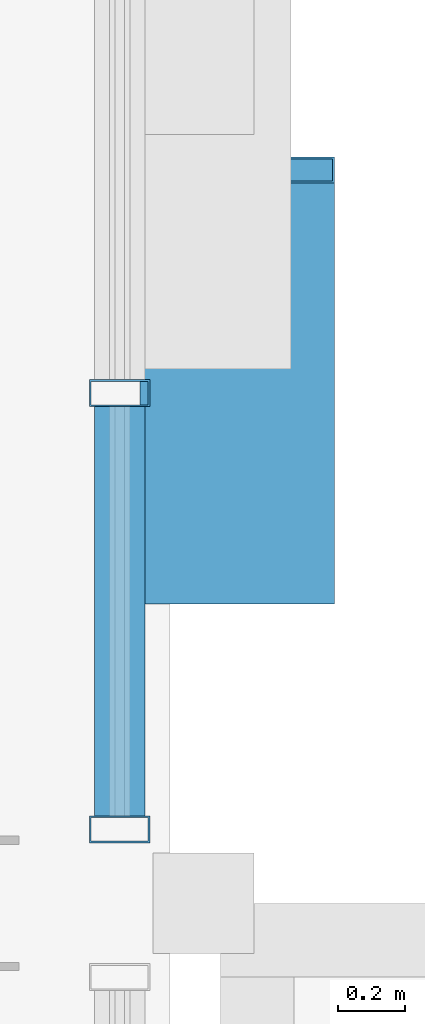
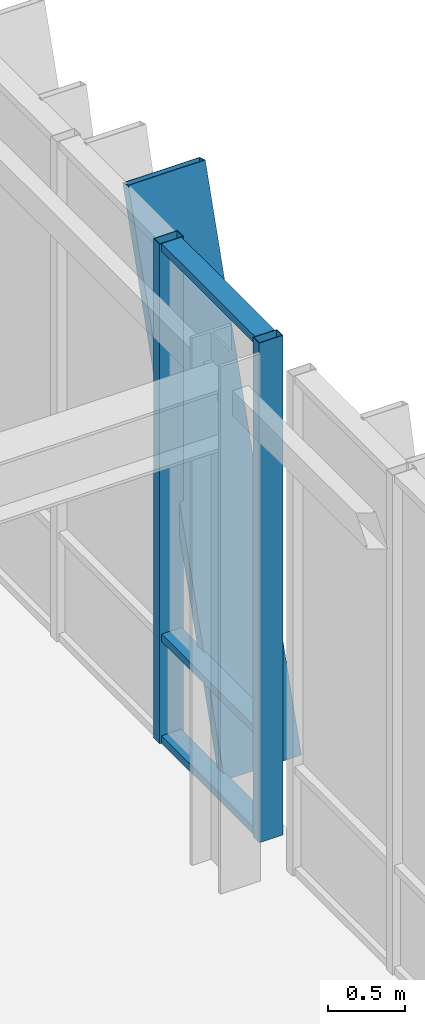
# One storey, part 53 of 123: 6 members, 1 element without a shape of its own.
"""IFC4 building model written with IfcOpenShell, lengths in metres."""

from ifc_helpers import new_model, si_unit, direction, frame, origin, origin_2d, place, context, subcontext, project, spatial, hollow_rectangle, extrude, material, layer, layer_set, material_profile, profile_set, type_object, element, aggregate, save


model = new_model("IFC4")

# Units and contexts
model_context = context("Model", 3, precision=1e-05, world=origin(), true_north=direction((0.0, 1.0)))
body_context = subcontext(model_context, "Body", "Model", "MODEL_VIEW")
ifc_project = project(units=[si_unit("LENGTHUNIT", "METRE"), si_unit("AREAUNIT", "SQUARE_METRE"), si_unit("VOLUMEUNIT", "CUBIC_METRE"), si_unit("PLANEANGLEUNIT", "RADIAN"), si_unit("MASSUNIT", "GRAM", prefix="KILO")], contexts=[model_context])

# Site, building, storey
site_placement = place(None, origin())
site = spatial("IfcSite", under=ifc_project, at=site_placement, CompositionType="ELEMENT")
building_placement = place(site_placement, origin())
building = spatial("IfcBuilding", under=site, at=building_placement, Name="Zayran Congress Hotel", CompositionType="ELEMENT")
storey_placement = place(building_placement, frame((0.0, 0.0, 15.0)))
storey = spatial("IfcBuildingStorey", under=building, at=storey_placement, Name="L03", CompositionType="ELEMENT", Elevation=15.0)

# Curtain wall, members
ifc_material_1 = material(Name="Anodised aluminium and low-E insulated glass", Category="aluminium")
ifc_layer = layer(ifc_material_1, 0.179931640625)
ifc_layer_set = layer_set([ifc_layer], Name="Anodised aluminium and low-E insulated glass")
curtain_wall_type = type_object("IfcCurtainWallType", Name="CW-V1E-L03-CW-41-8040-3980", PredefinedType="USERDEFINED", material=ifc_layer_set)
curtain_wall_placement = place(storey_placement, origin())
curtain_wall = element("IfcCurtainWall", 1, at=curtain_wall_placement, inside=storey, type_object=curtain_wall_type, Name="CW-V1E-L03-2", ObjectType="CURTAIN WALL", PredefinedType="USERDEFINED")
ifc_material_2 = material(Name="Anodised aluminium framing", Category="aluminium")
ifc_material_profile_1 = material_profile(ifc_material_2, hollow_rectangle(XDim=0.080078125, YDim=0.179931640625, WallThickness=0.0048828125, at=origin_2d()), Name="RHS 180x80x5")
ifc_profile_set_1 = profile_set([ifc_material_profile_1], Name="Anodised aluminium framing")
member_type_1 = type_object("IfcMemberType", Name="TP-CWM-01", PredefinedType="MULLION", material=ifc_profile_set_1)
member_1_placement = place(storey_placement, frame((92.25, 84.6201171875, 0.0), z_axis=(0.0, 0.0, 1.0), x_axis=(0.0, 1.0, 0.0)))
member_1 = element("IfcMember", 2, at=member_1_placement, type_object=member_type_1, Name="CW-V1E-L03-2-M00", PredefinedType="MULLION", context=body_context, shape_type="SweptSolid", body=[
    extrude(hollow_rectangle(XDim=0.080078125, YDim=0.179931640625, WallThickness=0.0048828125, at=origin_2d()), origin(), (0.0, 0.0, 1.0), 3.97998046875),
])
member_2_placement = place(storey_placement, frame((92.25, 85.919921875, 0.0), z_axis=(0.0, 0.0, 1.0), x_axis=(0.0, 1.0, 0.0)))
member_2 = element("IfcMember", 3, at=member_2_placement, type_object=member_type_1, Name="CW-V1E-L03-2-M01", PredefinedType="MULLION", context=body_context, shape_type="SweptSolid", body=[
    extrude(hollow_rectangle(XDim=0.080078125, YDim=0.179931640625, WallThickness=0.0048828125, at=origin_2d()), origin(), (0.0, 0.0, 1.0), 3.97998046875),
])
ifc_material_profile_2 = material_profile(ifc_material_2, hollow_rectangle(XDim=0.06005859375, YDim=0.14990234375, WallThickness=0.00390625, at=origin_2d()), Name="RHS 150x60x4")
ifc_profile_set_2 = profile_set([ifc_material_profile_2], Name="Anodised aluminium framing")
member_type_2 = type_object("IfcMemberType", Name="TP-CWT-01", PredefinedType="USERDEFINED", material=ifc_profile_set_2)
member_3_placement = place(storey_placement, frame((92.25, 84.659912109375, 0.030029296875), z_axis=(0.0, 1.0, 0.0), x_axis=(0.0, 0.0, 1.0)))
member_3 = element("IfcMember", 4, at=member_3_placement, type_object=member_type_2, Name="CW-V1E-L03-2-T00-0", ObjectType="TRANSOM", PredefinedType="USERDEFINED", context=body_context, shape_type="SweptSolid", body=[
    extrude(hollow_rectangle(XDim=0.06005859375, YDim=0.14990234375, WallThickness=0.00390625, at=origin_2d()), origin(), (0.0, 0.0, 1.0), 1.219970703125),
])
member_4_placement = place(storey_placement, frame((92.25, 84.659912109375, 0.840087890625), z_axis=(0.0, 1.0, 0.0), x_axis=(0.0, 0.0, 1.0)))
member_4 = element("IfcMember", 5, at=member_4_placement, type_object=member_type_2, Name="CW-V1E-L03-2-T00-1", ObjectType="TRANSOM", PredefinedType="USERDEFINED", context=body_context, shape_type="SweptSolid", body=[
    extrude(hollow_rectangle(XDim=0.06005859375, YDim=0.14990234375, WallThickness=0.00390625, at=origin_2d()), origin(), (0.0, 0.0, 1.0), 1.219970703125),
])
member_5_placement = place(storey_placement, frame((92.25, 84.659912109375, 3.949951171875), z_axis=(0.0, 1.0, 0.0), x_axis=(0.0, 0.0, 1.0)))
member_5 = element("IfcMember", 6, at=member_5_placement, type_object=member_type_2, Name="CW-V1E-L03-2-T00-2", ObjectType="TRANSOM", PredefinedType="USERDEFINED", context=body_context, shape_type="SweptSolid", body=[
    extrude(hollow_rectangle(XDim=0.06005859375, YDim=0.14990234375, WallThickness=0.00390625, at=origin_2d()), origin(), (0.0, 0.0, 1.0), 1.219970703125),
])
ifc_material_3 = material(Name="Warm bronze anodised aluminium", Category="aluminium")
ifc_material_profile_3 = material_profile(ifc_material_3, hollow_rectangle(XDim=0.080078125, YDim=0.580078125, WallThickness=0.006103515625, at=origin_2d()), Name="RHS 580x80x6")
ifc_profile_set_3 = profile_set([ifc_material_profile_3], Name="Warm bronze anodised aluminium")
member_type_3 = type_object("IfcMemberType", Name="TP-RFN-01", PredefinedType="MULLION", material=ifc_profile_set_3)
member_6_placement = place(storey_placement, frame((92.60009765625, 85.330078125, 0.0), z_axis=(0.0, 0.300705753938, 0.953716965115), x_axis=(0.0, -0.953716965115, 0.300705753938)))
member_6 = element("IfcMember", 7, at=member_6_placement, type_object=member_type_3, Name="Slanting Reed Mullion CW-41-01", PredefinedType="MULLION", context=body_context, shape_type="SweptSolid", body=[
    extrude(hollow_rectangle(XDim=0.080078125, YDim=0.580078125, WallThickness=0.006103515625, at=origin_2d()), origin(), (0.0, 0.0, 1.0), 4.173095703125),
])
aggregate(curtain_wall, [member_1, member_2, member_3, member_4, member_5, member_6])

save(model, "model.ifc")
